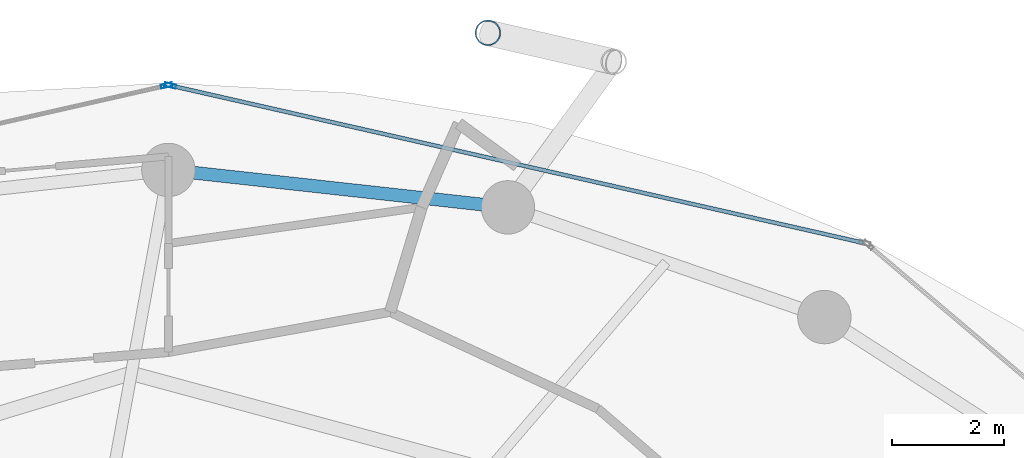
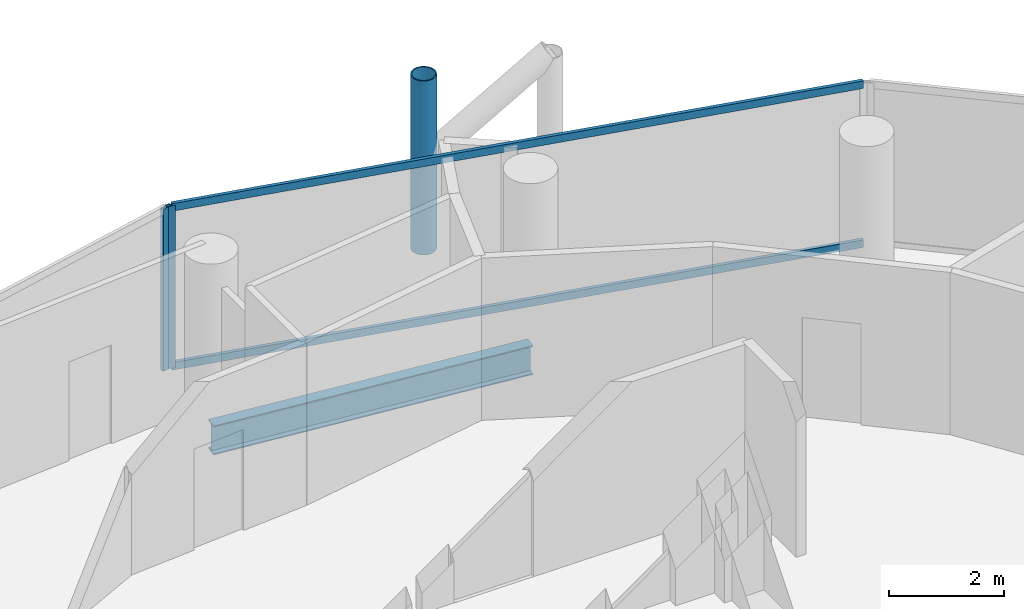
# One storey, part 17 of 26: 5 members, 1 beam, 2 elements without a shape of their own.
"""IFC4 building model written with IfcOpenShell, lengths in metres."""

from ifc_helpers import new_model, si_unit, direction, frame, origin, origin_2d, place, context, subcontext, project, spatial, hollow_rectangle, hollow_circle, i_section, extrude, material, layer, layer_set, material_profile, profile_set, type_object, element, aggregate, save


model = new_model("IFC4")

# Units and contexts
model_context = context("Model", 3, precision=1e-05, world=origin(), true_north=direction((0.0, 1.0)))
body_context = subcontext(model_context, "Body", "Model", "MODEL_VIEW")
ifc_project = project(units=[si_unit("LENGTHUNIT", "METRE"), si_unit("AREAUNIT", "SQUARE_METRE"), si_unit("VOLUMEUNIT", "CUBIC_METRE"), si_unit("PLANEANGLEUNIT", "RADIAN"), si_unit("MASSUNIT", "GRAM", prefix="KILO")], contexts=[model_context])

# Site, building, storey
site_placement = place(None, origin())
site = spatial("IfcSite", under=ifc_project, at=site_placement, CompositionType="ELEMENT")
building_placement = place(site_placement, origin())
building = spatial("IfcBuilding", under=site, at=building_placement, Name="Nuhasar Tower", CompositionType="ELEMENT")
storey_placement = place(building_placement, frame((0.0, 0.0, 155.25)))
storey = spatial("IfcBuildingStorey", under=building, at=storey_placement, Name="L37", CompositionType="ELEMENT", Elevation=155.25)

# Beam
ifc_material_1 = material(Name="Steel S355", Category="steel")
ifc_material_profile_1 = material_profile(ifc_material_1, i_section(OverallWidth=0.22998046875, OverallDepth=0.616943359375, WebThickness=0.01318359375, FlangeThickness=0.022216796875, at=origin_2d()), Name="W24X94")
ifc_profile_set_1 = profile_set([ifc_material_profile_1], Name="Steel S355")
beam_type = type_object("IfcBeamType", Name="BM-RING-W24X94", PredefinedType="SPANDREL", material=ifc_profile_set_1)
beam_placement = place(storey_placement, frame((45.04296875, 45.68408203125, -0.55908203125), z_axis=(-0.993981289157, 0.109549974015, 0.0), x_axis=(-0.109549974015, -0.993981289157, 0.0)))
element("IfcBeam", 1, at=beam_placement, inside=storey, type_object=beam_type, Name="L37 Perimeter Ring Spandrel 06", PredefinedType="SPANDREL", context=body_context, shape_type="SweptSolid", body=[
    extrude(i_section(OverallWidth=0.22998046875, OverallDepth=0.616943359375, WebThickness=0.01318359375, FlangeThickness=0.022216796875, at=origin_2d()), origin(), (0.0, 0.0, 1.0), 6.07958984375),
])

# Curtain wall, member
ifc_material_2 = material(Name="Aluminium 6063-T6", Category="aluminium")
ifc_layer = layer(ifc_material_2, 0.199951171875)
ifc_layer_set = layer_set([ifc_layer], Name="Aluminium 6063-T6")
curtain_wall_type = type_object("IfcCurtainWallType", Name="CW-Z2-HTL", PredefinedType="NOTDEFINED", material=ifc_layer_set)
curtain_wall_1_placement = place(storey_placement, origin())
curtain_wall_1 = element("IfcCurtainWall", 2, at=curtain_wall_1_placement, inside=storey, type_object=curtain_wall_type, Name="L37 Unitised Curtain Wall 03", PredefinedType="NOTDEFINED")
ifc_material_profile_2 = material_profile(ifc_material_2, hollow_rectangle(XDim=0.070068359375, YDim=0.199951171875, WallThickness=0.0048828125, at=origin_2d()), Name="CWM-3")
ifc_profile_set_2 = profile_set([ifc_material_profile_2], Name="Aluminium 6063-T6")
member_type_1 = type_object("IfcMemberType", Name="CW-MUL-S3", PredefinedType="MULLION", material=ifc_profile_set_2)
member_1_placement = place(storey_placement, frame((39.0341796875, 47.852294921875, 0.0), z_axis=(0.0, 0.0, 1.0), x_axis=(-0.22139729566, -0.975183694221, 0.0)))
member_1 = element("IfcMember", 3, at=member_1_placement, type_object=member_type_1, Name="CW-Z2 mullion 2", PredefinedType="MULLION", context=body_context, shape_type="SweptSolid", body=[
    extrude(hollow_rectangle(XDim=0.070068359375, YDim=0.199951171875, WallThickness=0.0048828125, at=origin_2d()), origin(), (0.0, 0.0, 1.0), 3.449951171875),
])

curtain_wall_2_placement = place(storey_placement, origin())
curtain_wall_2 = element("IfcCurtainWall", 4, at=curtain_wall_2_placement, inside=storey, type_object=curtain_wall_type, Name="L37 Unitised Curtain Wall 04", PredefinedType="NOTDEFINED")
member_2_placement = place(storey_placement, frame((38.9658203125, 47.852294921875, 0.0), z_axis=(0.0, 0.0, 1.0), x_axis=(0.22139729566, -0.975183694221, 0.0)))
member_2 = element("IfcMember", 5, at=member_2_placement, type_object=member_type_1, Name="CW-Z2 mullion 1", PredefinedType="MULLION", context=body_context, shape_type="SweptSolid", body=[
    extrude(hollow_rectangle(XDim=0.070068359375, YDim=0.199951171875, WallThickness=0.0048828125, at=origin_2d()), origin(), (0.0, 0.0, 1.0), 3.449951171875),
])
aggregate(curtain_wall_2, [member_2])

# Member
ifc_material_profile_3 = material_profile(ifc_material_2, hollow_rectangle(XDim=0.070068359375, YDim=0.159912109375, WallThickness=0.00439453125, at=origin_2d()), Name="CWT-3")
ifc_profile_set_3 = profile_set([ifc_material_profile_3], Name="Aluminium 6063-T6")
member_type_2 = type_object("IfcMemberType", Name="CW-TRN-S3", PredefinedType="USERDEFINED", material=ifc_profile_set_3)
member_3_placement = place(storey_placement, frame((51.36181640625, 45.053466796875, 0.034912109375), z_axis=(-0.975183434528, 0.221398439519, 0.0), x_axis=(-0.221398439519, -0.975183434528, 0.0)))
member_3 = element("IfcMember", 6, at=member_3_placement, type_object=member_type_2, Name="CW-Z2 transom 1.1", ObjectType="TRANSOM", PredefinedType="USERDEFINED", context=body_context, shape_type="SweptSolid", body=[
    extrude(hollow_rectangle(XDim=0.070068359375, YDim=0.159912109375, WallThickness=0.00439453125, at=origin_2d()), origin(), (0.0, 0.0, 1.0), 12.606201171875),
])

member_4_placement = place(storey_placement, frame((51.36181640625, 45.053466796875, 3.4150390625), z_axis=(-0.975183434528, 0.221398439519, 0.0), x_axis=(-0.221398439519, -0.975183434528, 0.0)))
member_4 = element("IfcMember", 7, at=member_4_placement, type_object=member_type_2, Name="CW-Z2 transom 1.2", ObjectType="TRANSOM", PredefinedType="USERDEFINED", context=body_context, shape_type="SweptSolid", body=[
    extrude(hollow_rectangle(XDim=0.070068359375, YDim=0.159912109375, WallThickness=0.00439453125, at=origin_2d()), origin(), (0.0, 0.0, 1.0), 12.606201171875),
])

aggregate(curtain_wall_1, [member_1, member_3, member_4])

ifc_material_3 = material(Name="Steel S460", Category="steel")
ifc_material_profile_4 = material_profile(ifc_material_3, hollow_circle(Radius=0.228515625, WallThickness=0.022216796875, at=origin_2d()), Name="HSS457X22.2")
ifc_profile_set_4 = profile_set([ifc_material_profile_4], Name="Steel S460")
member_type_3 = type_object("IfcMemberType", Name="EXO-BRONZE-457", PredefinedType="BRACE", material=ifc_profile_set_4)
member_5_placement = place(storey_placement, frame((44.68603515625, 48.7900390625, 0.0), z_axis=(0.0, 0.0, 1.0), x_axis=(1.0, 0.0, 0.0)))
element("IfcMember", 8, at=member_5_placement, inside=storey, type_object=member_type_3, Name="L37 Exoskeleton Chord Column EC-03B", PredefinedType="BRACE", context=body_context, shape_type="SweptSolid", body=[
    extrude(hollow_circle(Radius=0.228515625, WallThickness=0.022216796875, at=origin_2d()), origin(), (0.0, 0.0, 1.0), 3.699951171875),
])

save(model, "model.ifc")
